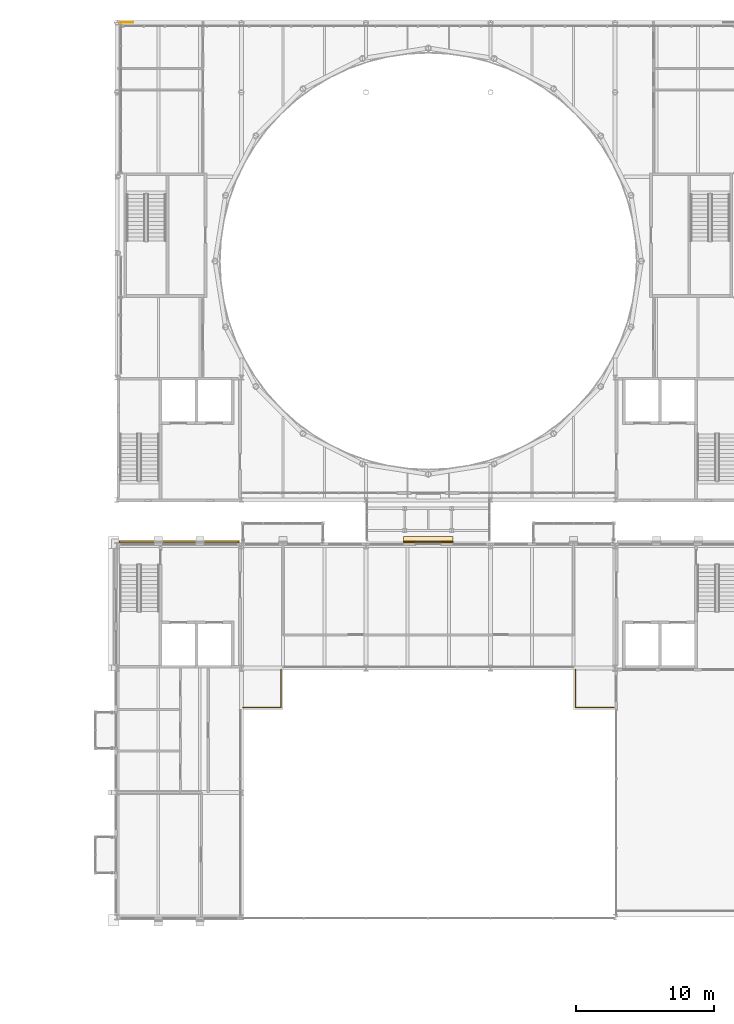
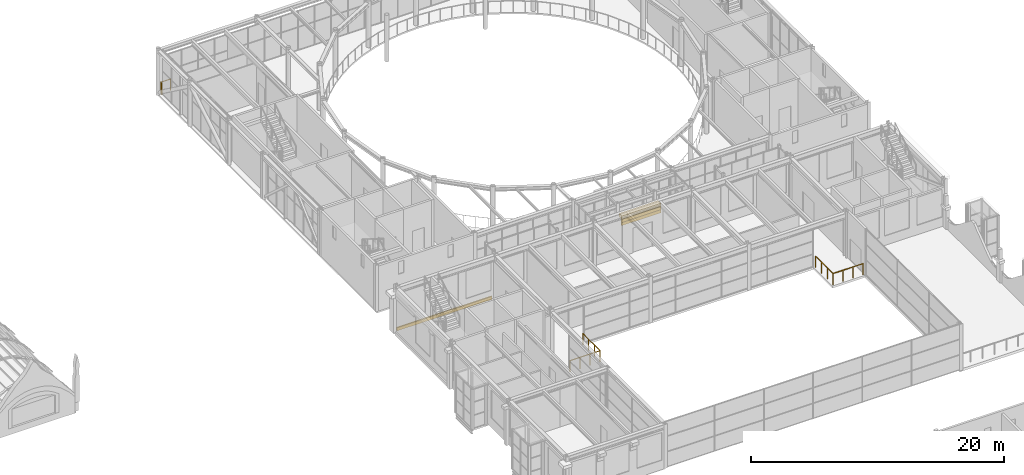
# One storey, part 102 of 111: 4 coverings, 3 railings.
"""IFC4 building model written with IfcOpenShell, lengths in metres."""

from ifc_helpers import new_model, si_unit, direction, frame, origin, origin_2d, place, context, subcontext, project, spatial, rectangle, circle, extrude, material, layer, layer_set, type_object, element, save


model = new_model("IFC4")

# Units and contexts
model_context = context("Model", 3, precision=1e-05, world=origin(), true_north=direction((0.0, 1.0)))
body_context = subcontext(model_context, "Body", "Model", "MODEL_VIEW")
ifc_project = project(units=[si_unit("LENGTHUNIT", "METRE"), si_unit("AREAUNIT", "SQUARE_METRE"), si_unit("VOLUMEUNIT", "CUBIC_METRE"), si_unit("PLANEANGLEUNIT", "RADIAN"), si_unit("MASSUNIT", "GRAM", prefix="KILO")], contexts=[model_context])

# Site, building, storey
site_placement = place(None, origin())
site = spatial("IfcSite", under=ifc_project, at=site_placement, CompositionType="ELEMENT")
building_placement = place(site_placement, origin())
building = spatial("IfcBuilding", under=site, at=building_placement, Name="Kallimachos Central Library", CompositionType="ELEMENT")
storey_placement = place(building_placement, frame((0.0, 0.0, 14.39990234375)))
storey = spatial("IfcBuildingStorey", under=building, at=storey_placement, Name="L03", CompositionType="ELEMENT", Elevation=14.39990234375)

# Railings
ifc_material_1 = material(Name="Wrought iron")
railing_type_1 = type_object("IfcRailingType", Name="Gallery guard", PredefinedType="GUARDRAIL", material=ifc_material_1)
railing_1_placement = place(storey_placement, frame((74.60009765625, 72.14990234375, 0.0)))
element("IfcRailing", 1, at=railing_1_placement, inside=storey, type_object=railing_type_1, Name="L03 corner landing guard west", PredefinedType="GUARDRAIL", context=body_context, shape_type="SweptSolid", body=[
    extrude(circle(Radius=0.02392578125, at=origin_2d()), frame((0.0, 0.0, 1.076171875), z_axis=(1.0, 0.0, 0.0), x_axis=(0.0, 1.0, 0.0)), (0.0, 0.0, 1.0), 2.75),
    extrude(circle(Radius=0.02392578125, at=origin_2d()), frame((2.75, 0.0, 1.076171875), z_axis=(0.0, 1.0, 0.0), x_axis=(-1.0, 0.0, 0.0)), (0.0, 0.0, 1.0), 2.75),
    extrude(circle(Radius=0.02099609375, at=origin_2d()), origin(), (0.0, 0.0, 1.0), 1.052001953125),
    extrude(circle(Radius=0.02099609375, at=origin_2d()), frame((0.916748046875, 0.0, 0.0)), (0.0, 0.0, 1.0), 1.052001953125),
    extrude(circle(Radius=0.02099609375, at=origin_2d()), frame((1.833251953125, 0.0, 0.0)), (0.0, 0.0, 1.0), 1.052001953125),
    extrude(circle(Radius=0.02099609375, at=origin_2d()), frame((2.75, 0.0, 0.0)), (0.0, 0.0, 1.0), 1.052001953125),
    extrude(circle(Radius=0.02099609375, at=origin_2d()), frame((2.75, 0.916748046875, 0.0)), (0.0, 0.0, 1.0), 1.052001953125),
    extrude(circle(Radius=0.02099609375, at=origin_2d()), frame((2.75, 1.833251953125, 0.0)), (0.0, 0.0, 1.0), 1.052001953125),
    extrude(circle(Radius=0.02099609375, at=origin_2d()), frame((2.75, 2.75, 0.0)), (0.0, 0.0, 1.0), 1.052001953125),
])
railing_2_placement = place(storey_placement, frame((101.39990234375, 72.14990234375, 0.0)))
element("IfcRailing", 2, at=railing_2_placement, inside=storey, type_object=railing_type_1, Name="L03 corner landing guard east", PredefinedType="GUARDRAIL", context=body_context, shape_type="SweptSolid", body=[
    extrude(circle(Radius=0.02392578125, at=origin_2d()), frame((0.0, 0.0, 1.076171875), z_axis=(-1.0, 0.0, 0.0), x_axis=(0.0, -1.0, 0.0)), (0.0, 0.0, 1.0), 2.75),
    extrude(circle(Radius=0.02392578125, at=origin_2d()), frame((-2.75, 0.0, 1.076171875), z_axis=(0.0, 1.0, 0.0), x_axis=(-1.0, 0.0, 0.0)), (0.0, 0.0, 1.0), 2.75),
    extrude(circle(Radius=0.02099609375, at=origin_2d()), origin(), (0.0, 0.0, 1.0), 1.052001953125),
    extrude(circle(Radius=0.02099609375, at=origin_2d()), frame((-0.916748046875, 0.0, 0.0)), (0.0, 0.0, 1.0), 1.052001953125),
    extrude(circle(Radius=0.02099609375, at=origin_2d()), frame((-1.833251953125, 0.0, 0.0)), (0.0, 0.0, 1.0), 1.052001953125),
    extrude(circle(Radius=0.02099609375, at=origin_2d()), frame((-2.75, 0.0, 0.0)), (0.0, 0.0, 1.0), 1.052001953125),
    extrude(circle(Radius=0.02099609375, at=origin_2d()), frame((-2.75, 0.916748046875, 0.0)), (0.0, 0.0, 1.0), 1.052001953125),
    extrude(circle(Radius=0.02099609375, at=origin_2d()), frame((-2.75, 1.833251953125, 0.0)), (0.0, 0.0, 1.0), 1.052001953125),
    extrude(circle(Radius=0.02099609375, at=origin_2d()), frame((-2.75, 2.75, 0.0)), (0.0, 0.0, 1.0), 1.052001953125),
])

# Coverings
ifc_material_2 = material(Name="Glazed ceramic frieze, green")
ifc_layer_1 = layer(ifc_material_2, 0.10009765625)
ifc_layer_set_1 = layer_set([ifc_layer_1], Name="Glazed ceramic frieze, green")
covering_type_1 = type_object("IfcCoveringType", Name="Glazed ceramic frieze, green", PredefinedType="CLADDING", material=ifc_layer_set_1)
covering_1_placement = place(storey_placement, frame((88.0, 84.115966796875, 3.1298828125), z_axis=(0.0, 0.0, 1.0), x_axis=(1.0, 0.0, 0.0)))
element("IfcCovering", 3, at=covering_1_placement, inside=storey, type_object=covering_type_1, Name="Glazed ceramic frieze, green -L03-017", PredefinedType="CLADDING", context=body_context, shape_type="SweptSolid", body=[
    extrude(rectangle(XDim=3.60009765625, YDim=0.10009765625, at=origin_2d()), origin(), (0.0, 0.0, 1.0), 0.300048828125),
])
ifc_material_3 = material(Name="Glazed ceramic frieze, ochre")
ifc_layer_2 = layer(ifc_material_3, 0.10009765625)
ifc_layer_set_2 = layer_set([ifc_layer_2], Name="Glazed ceramic frieze, ochre")
covering_type_2 = type_object("IfcCoveringType", Name="Glazed ceramic frieze, ochre", PredefinedType="CLADDING", material=ifc_layer_set_2)
covering_2_placement = place(storey_placement, frame((88.0, 84.115966796875, 2.830078125), z_axis=(0.0, 0.0, 1.0), x_axis=(1.0, 0.0, 0.0)))
element("IfcCovering", 4, at=covering_2_placement, inside=storey, type_object=covering_type_2, Name="Glazed ceramic frieze, ochre -L03-017", PredefinedType="CLADDING", context=body_context, shape_type="SweptSolid", body=[
    extrude(rectangle(XDim=3.60009765625, YDim=0.10009765625, at=origin_2d()), origin(), (0.0, 0.0, 1.0), 0.300048828125),
])
ifc_material_4 = material(Name="Pentelic marble attic moulding", Category="masonry")
ifc_layer_3 = layer(ifc_material_4, 0.1201171875)
ifc_layer_set_3 = layer_set([ifc_layer_3], Name="Stone attic moulding 300")
covering_type_3 = type_object("IfcCoveringType", Name="Stone attic moulding 300", PredefinedType="MOLDING", material=ifc_layer_set_3)
covering_3_placement = place(storey_placement, frame((70.0, 84.1259765625, -0.14990234375), z_axis=(0.0, 0.0, 1.0), x_axis=(1.0, 0.0, 0.0)))
element("IfcCovering", 5, at=covering_3_placement, inside=storey, type_object=covering_type_3, Name="Stone attic moulding 300 -L03-015", PredefinedType="MOLDING", context=body_context, shape_type="SweptSolid", body=[
    extrude(rectangle(XDim=8.693115234375, YDim=0.1201171875, at=origin_2d()), origin(), (0.0, 0.0, 1.0), 0.300048828125),
])
ifc_material_5 = material(Name="Pentelic marble cornice", Category="masonry")
ifc_layer_4 = layer(ifc_material_5, 0.449951171875)
ifc_layer_set_4 = layer_set([ifc_layer_4], Name="Stone cornice 450")
covering_type_4 = type_object("IfcCoveringType", Name="Stone cornice 450", PredefinedType="MOLDING", material=ifc_layer_set_4)
covering_4_placement = place(storey_placement, frame((88.0, 84.291015625, 3.4501953125), z_axis=(0.0, 0.0, 1.0), x_axis=(1.0, 0.0, 0.0)))
element("IfcCovering", 6, at=covering_4_placement, inside=storey, type_object=covering_type_4, Name="Stone cornice 450 -L03-017", PredefinedType="MOLDING", context=body_context, shape_type="SweptSolid", body=[
    extrude(rectangle(XDim=3.60009765625, YDim=0.449951171875, at=origin_2d()), origin(), (0.0, 0.0, 1.0), 0.300048828125),
])

# Railing
ifc_material_6 = material(Name="Wrought iron")
railing_type_2 = type_object("IfcRailingType", Name="Wrought-iron style guard", PredefinedType="GUARDRAIL", material=ifc_material_6)
railing_3_placement = place(storey_placement, frame((65.75, 121.47998046875, 0.0)))
element("IfcRailing", 7, at=railing_3_placement, inside=storey, type_object=railing_type_2, Name="Corner ledge guard", PredefinedType="GUARDRAIL", context=body_context, shape_type="SweptSolid", body=[
    extrude(circle(Radius=0.02392578125, at=origin_2d()), frame((0.0, 0.0, 1.076171875), z_axis=(0.0, 1.0, 0.0), x_axis=(-1.0, 0.0, 0.0)), (0.0, 0.0, 1.0), 0.169921875),
    extrude(circle(Radius=0.02392578125, at=origin_2d()), frame((0.0, 0.169921875, 1.076171875), z_axis=(1.0, 0.0, 0.0), x_axis=(0.0, 1.0, 0.0)), (0.0, 0.0, 1.0), 0.89990234375),
    extrude(circle(Radius=0.02099609375, at=origin_2d()), origin(), (0.0, 0.0, 1.0), 1.052001953125),
    extrude(circle(Radius=0.02099609375, at=origin_2d()), frame((0.0, 0.169921875, 0.0)), (0.0, 0.0, 1.0), 1.052001953125),
    extrude(circle(Radius=0.02099609375, at=origin_2d()), frame((0.89990234375, 0.169921875, 0.0)), (0.0, 0.0, 1.0), 1.052001953125),
])

save(model, "model.ifc")
